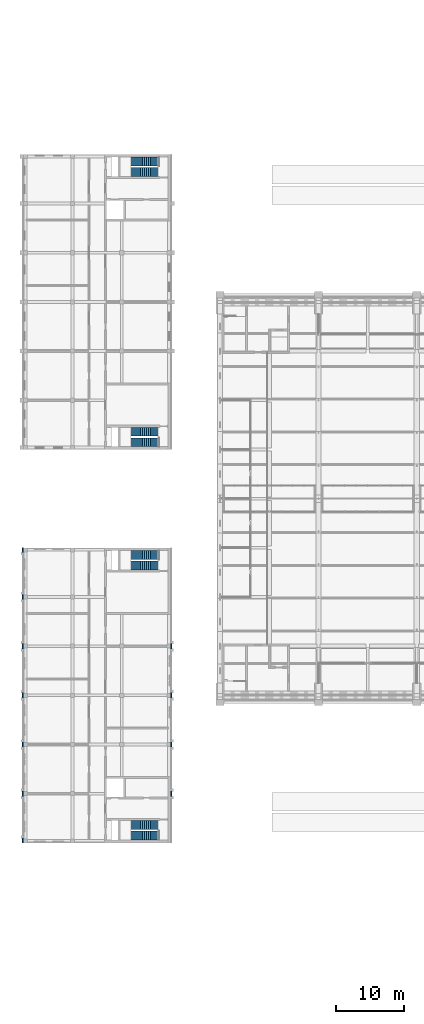
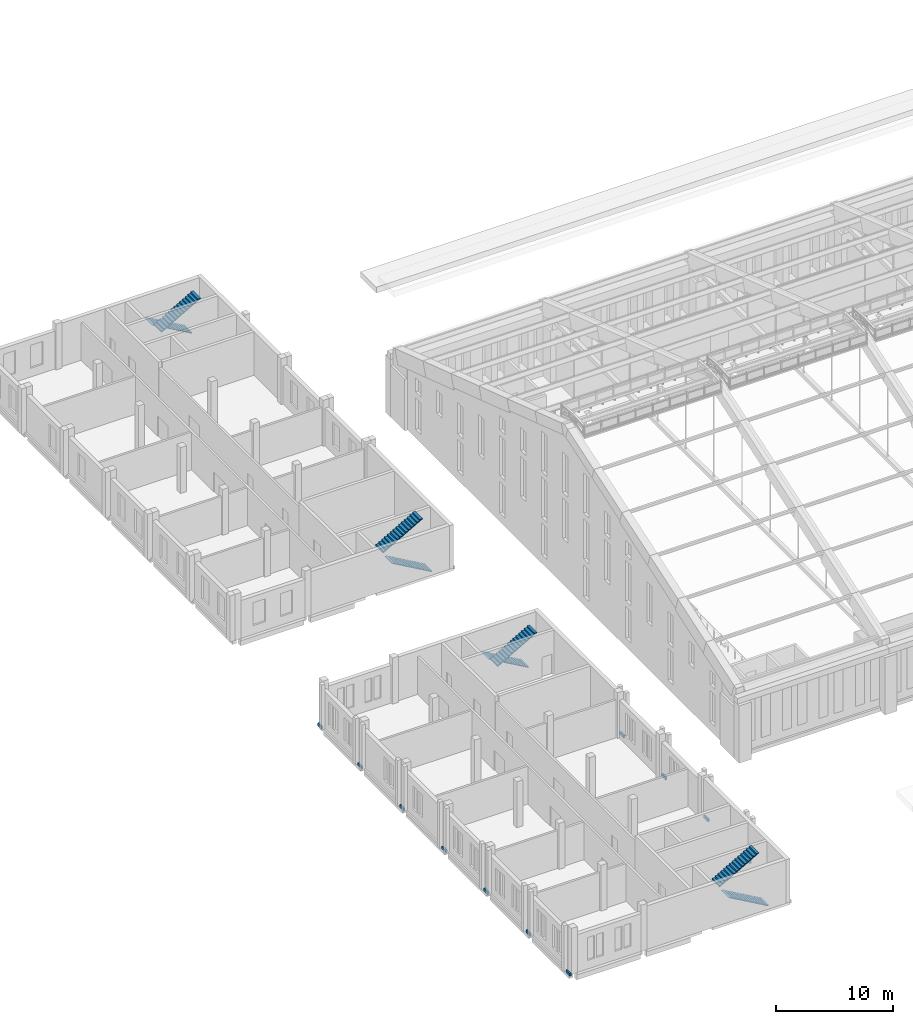
# One storey, part 143 of 149: 11 walls, 8 stair flights, 4 elements without a shape of their own.
"""IFC4 building model written with IfcOpenShell, lengths in metres."""

from ifc_helpers import new_model, si_unit, direction, frame, frame_2d, origin, place, context, subcontext, project, spatial, polyline, rectangle, outline, extrude, material, layer, layer_set, type_object, element, aggregate, save


model = new_model("IFC4")

# Units and contexts
model_context = context("Model", 3, precision=1e-05, world=origin(), true_north=direction((0.0, 1.0)))
body_context = subcontext(model_context, "Body", "Model", "MODEL_VIEW")
ifc_project = project(units=[si_unit("LENGTHUNIT", "METRE"), si_unit("AREAUNIT", "SQUARE_METRE"), si_unit("VOLUMEUNIT", "CUBIC_METRE"), si_unit("PLANEANGLEUNIT", "RADIAN"), si_unit("MASSUNIT", "GRAM", prefix="KILO")], contexts=[model_context])

# Site, building, storey
site_placement = place(None, origin())
site = spatial("IfcSite", under=ifc_project, at=site_placement, CompositionType="ELEMENT")
building_placement = place(site_placement, origin())
building = spatial("IfcBuilding", under=site, at=building_placement, Name="Alderwick Market Hall", CompositionType="ELEMENT")
storey_placement = place(building_placement, frame((0.0, 0.0, 9.60009765625)))
storey = spatial("IfcBuildingStorey", under=building, at=storey_placement, Name="L01", CompositionType="ELEMENT", Elevation=9.60009765625)

# Walls
ifc_material_1 = material(Name="Cast stone 5000 psi", Category="masonry")
ifc_layer = layer(ifc_material_1, 0.14990234375)
ifc_layer_set = layer_set([ifc_layer], Name="Cast stone 5000 psi")
wall_type = type_object("IfcWallType", Name="B Cast Stone String Course 150", PredefinedType="SOLIDWALL", material=ifc_layer_set)
wall_1_placement = place(storey_placement, frame((21.52490234375, 28.800048828125, -0.150146484375), z_axis=(0.0, 0.0, 1.0), x_axis=(0.0, 1.0, 0.0)))
element("IfcWall", 1, at=wall_1_placement, inside=storey, type_object=wall_type, Name="B.S.string.W.00", PredefinedType="SOLIDWALL", context=body_context, shape_type="SweptSolid", body=[
    extrude(rectangle(XDim=0.64990234375, YDim=0.14990234375, at=frame_2d((0.324951171875, 0.0))), origin(), (0.0, 0.0, 1.0), 0.300048828125),
])
wall_2_placement = place(storey_placement, frame((21.52490234375, 35.64990234375, -0.150146484375), z_axis=(0.0, 0.0, 1.0), x_axis=(0.0, 1.0, 0.0)))
element("IfcWall", 2, at=wall_2_placement, inside=storey, type_object=wall_type, Name="B.S.string.W.02", PredefinedType="SOLIDWALL", context=body_context, shape_type="SweptSolid", body=[
    extrude(rectangle(XDim=0.7001953125, YDim=0.14990234375, at=frame_2d((0.35009765625, 0.0))), origin(), (0.0, 0.0, 1.0), 0.300048828125),
])
for number, where, z_axis, x_axis, name in (
    (3, (21.52490234375, 42.85009765625, -0.150146484375), (0.0, 0.0, 1.0), (0.0, 1.0, 0.0), "B.S.string.W.04"),
    (4, (21.52490234375, 50.050048828125, -0.150146484375), (0.0, 0.0, 1.0), (0.0, 1.0, 0.0), "B.S.string.W.06"),
    (5, (21.52490234375, 57.25, -0.150146484375), (0.0, 0.0, 1.0), (0.0, 1.0, 0.0), "B.S.string.W.08"),
    (6, (21.52490234375, 64.449951171875, -0.150146484375), (0.0, 0.0, 1.0), (0.0, 1.0, 0.0), "B.S.string.W.10"),
):
    element("IfcWall", number, at=place(storey_placement, frame(where, z_axis=z_axis, x_axis=x_axis)), inside=storey, type_object=wall_type, Name=name, PredefinedType="SOLIDWALL", context=body_context, shape_type="SweptSolid", body=[
        extrude(rectangle(XDim=0.699951171875, YDim=0.14990234375, at=frame_2d((0.35009765625, 0.0))), origin(), (0.0, 0.0, 1.0), 0.300048828125),
    ])
wall_3_placement = place(storey_placement, frame((21.52490234375, 71.35009765625, -0.150146484375), z_axis=(0.0, 0.0, 1.0), x_axis=(0.0, 1.0, 0.0)))
element("IfcWall", 7, at=wall_3_placement, inside=storey, type_object=wall_type, Name="B.S.string.W.12", PredefinedType="SOLIDWALL", context=body_context, shape_type="SweptSolid", body=[
    extrude(rectangle(XDim=0.64990234375, YDim=0.14990234375, at=frame_2d((0.324951171875, 0.0))), origin(), (0.0, 0.0, 1.0), 0.300048828125),
])
wall_4_placement = place(storey_placement, frame((43.27490234375, 35.64990234375, -0.150146484375), z_axis=(0.0, 0.0, 1.0), x_axis=(0.0, 1.0, 0.0)))
element("IfcWall", 8, at=wall_4_placement, inside=storey, type_object=wall_type, Name="B.S.string.E.01", PredefinedType="SOLIDWALL", context=body_context, shape_type="SweptSolid", body=[
    extrude(rectangle(XDim=0.7001953125, YDim=0.14990234375, at=frame_2d((0.35009765625, 0.0))), origin(), (0.0, 0.0, 1.0), 0.300048828125),
])
for number, where, z_axis, x_axis, name in (
    (9, (43.27490234375, 42.85009765625, -0.150146484375), (0.0, 0.0, 1.0), (0.0, 1.0, 0.0), "B.S.string.E.03"),
    (10, (43.27490234375, 50.050048828125, -0.150146484375), (0.0, 0.0, 1.0), (0.0, 1.0, 0.0), "B.S.string.E.05"),
    (11, (43.27490234375, 57.25, -0.150146484375), (0.0, 0.0, 1.0), (0.0, 1.0, 0.0), "B.S.string.E.07"),
):
    element("IfcWall", number, at=place(storey_placement, frame(where, z_axis=z_axis, x_axis=x_axis)), inside=storey, type_object=wall_type, Name=name, PredefinedType="SOLIDWALL", context=body_context, shape_type="SweptSolid", body=[
        extrude(rectangle(XDim=0.699951171875, YDim=0.14990234375, at=frame_2d((0.35009765625, 0.0))), origin(), (0.0, 0.0, 1.0), 0.300048828125),
    ])

# Stair, stair flights
ifc_material_2 = material(Name="Concrete 5000 psi (f'c 35 MPa)", Category="concrete")
stair_type = type_object("IfcStairType", Name="B Exit Stair 1300", PredefinedType="TWO_STRAIGHT_RUN_STAIR", material=ifc_material_2)
stair_1_placement = place(storey_placement, origin())
stair_1 = element("IfcStair", 12, at=stair_1_placement, inside=storey, type_object=stair_type, Name="Stair N-1 L01", PredefinedType="TWO_STRAIGHT_RUN_STAIR")
stair_flight_type = type_object("IfcStairFlightType", Name="B Stair Flight 1300", PredefinedType="STRAIGHT", material=ifc_material_2)
stair_flight_1_placement = place(storey_placement, frame((41.300048828125, 128.550048828125, 0.0), z_axis=(0.0, 0.0, 1.0), x_axis=(-1.0, 0.0, 0.0)))
stair_flight_1 = element("IfcStairFlight", 13, at=stair_flight_1_placement, type_object=stair_flight_type, Name="B-ST-N-1-L01 flight 1", NumberOfRisers=15, NumberOfTreads=14, PredefinedType="STRAIGHT", RiserHeight=0.16, TreadLength=0.28, context=body_context, shape_type="SweptSolid", body=[
    extrude(outline(polyline([(0.00537109375, -0.009521484375), (0.0, 0.0), (0.0, 0.159912109375), (0.280029296875, 0.159912109375), (0.280029296875, 0.320068359375), (0.56005859375, 0.320068359375), (0.56005859375, 0.47998046875), (0.840087890625, 0.47998046875), (0.840087890625, 0.639892578125), (1.1201171875, 0.639892578125), (1.1201171875, 0.800048828125), (1.39990234375, 0.800048828125), (1.39990234375, 0.9599609375), (1.679931640625, 0.9599609375), (1.679931640625, 1.1201171875), (1.9599609375, 1.1201171875), (1.9599609375, 1.280029296875), (2.239990234375, 1.280029296875), (2.239990234375, 1.43994140625), (2.52001953125, 1.43994140625), (2.52001953125, 1.60009765625), (2.800048828125, 1.60009765625), (2.800048828125, 1.760009765625), (3.080078125, 1.760009765625), (3.080078125, 1.919921875), (3.360107421875, 1.919921875), (3.360107421875, 2.080078125), (3.639892578125, 2.080078125), (3.639892578125, 2.239990234375), (3.919921875, 2.239990234375), (3.919921875, 2.227294921875), (0.00537109375, -0.009521484375)])), frame((0.0, 0.64990234375, 0.0), z_axis=(0.0, -1.0, 0.0), x_axis=(1.0, 0.0, 0.0)), (0.0, 0.0, 1.0), 1.300048828125),
])
stair_flight_2_placement = place(storey_placement, frame((37.3798828125, 127.0, 2.39990234375), z_axis=(0.0, 0.0, 1.0), x_axis=(1.0, 0.0, 0.0)))
stair_flight_2 = element("IfcStairFlight", 14, at=stair_flight_2_placement, type_object=stair_flight_type, Name="B-ST-N-1-L01 flight 2", NumberOfRisers=15, NumberOfTreads=14, PredefinedType="STRAIGHT", RiserHeight=0.16, TreadLength=0.28, context=body_context, shape_type="SweptSolid", body=[
    extrude(outline(polyline([(0.00537109375, -0.009521484375), (0.0, 0.0), (0.0, 0.159912109375), (0.280029296875, 0.159912109375), (0.280029296875, 0.320068359375), (0.56005859375, 0.320068359375), (0.56005859375, 0.47998046875), (0.840087890625, 0.47998046875), (0.840087890625, 0.639892578125), (1.1201171875, 0.639892578125), (1.1201171875, 0.800048828125), (1.39990234375, 0.800048828125), (1.39990234375, 0.9599609375), (1.679931640625, 0.9599609375), (1.679931640625, 1.1201171875), (1.9599609375, 1.1201171875), (1.9599609375, 1.280029296875), (2.239990234375, 1.280029296875), (2.239990234375, 1.43994140625), (2.52001953125, 1.43994140625), (2.52001953125, 1.60009765625), (2.800048828125, 1.60009765625), (2.800048828125, 1.760009765625), (3.080078125, 1.760009765625), (3.080078125, 1.919921875), (3.360107421875, 1.919921875), (3.360107421875, 2.080078125), (3.639892578125, 2.080078125), (3.639892578125, 2.239990234375), (3.919921875, 2.239990234375), (3.919921875, 2.227294921875), (0.00537109375, -0.009521484375)])), frame((0.0, 0.64990234375, 0.0), z_axis=(0.0, -1.0, 0.0), x_axis=(1.0, 0.0, 0.0)), (0.0, 0.0, 1.0), 1.300048828125),
])
aggregate(stair_1, [stair_flight_1, stair_flight_2])

stair_2_placement = place(storey_placement, origin())
stair_2 = element("IfcStair", 15, at=stair_2_placement, inside=storey, type_object=stair_type, Name="Stair N-2 L01", PredefinedType="TWO_STRAIGHT_RUN_STAIR")
stair_flight_3_placement = place(storey_placement, frame((41.300048828125, 87.449951171875, 0.0), z_axis=(0.0, 0.0, 1.0), x_axis=(-1.0, 0.0, 0.0)))
stair_flight_3 = element("IfcStairFlight", 16, at=stair_flight_3_placement, type_object=stair_flight_type, Name="B-ST-N-2-L01 flight 1", NumberOfRisers=15, NumberOfTreads=14, PredefinedType="STRAIGHT", RiserHeight=0.16, TreadLength=0.28, context=body_context, shape_type="SweptSolid", body=[
    extrude(outline(polyline([(0.00537109375, -0.009521484375), (0.0, 0.0), (0.0, 0.159912109375), (0.280029296875, 0.159912109375), (0.280029296875, 0.320068359375), (0.56005859375, 0.320068359375), (0.56005859375, 0.47998046875), (0.840087890625, 0.47998046875), (0.840087890625, 0.639892578125), (1.1201171875, 0.639892578125), (1.1201171875, 0.800048828125), (1.39990234375, 0.800048828125), (1.39990234375, 0.9599609375), (1.679931640625, 0.9599609375), (1.679931640625, 1.1201171875), (1.9599609375, 1.1201171875), (1.9599609375, 1.280029296875), (2.239990234375, 1.280029296875), (2.239990234375, 1.43994140625), (2.52001953125, 1.43994140625), (2.52001953125, 1.60009765625), (2.800048828125, 1.60009765625), (2.800048828125, 1.760009765625), (3.080078125, 1.760009765625), (3.080078125, 1.919921875), (3.360107421875, 1.919921875), (3.360107421875, 2.080078125), (3.639892578125, 2.080078125), (3.639892578125, 2.239990234375), (3.919921875, 2.239990234375), (3.919921875, 2.227294921875), (0.00537109375, -0.009521484375)])), frame((0.0, 0.64990234375, 0.0), z_axis=(0.0, -1.0, 0.0), x_axis=(1.0, 0.0, 0.0)), (0.0, 0.0, 1.0), 1.300048828125),
])
stair_flight_4_placement = place(storey_placement, frame((37.3798828125, 89.0, 2.39990234375), z_axis=(0.0, 0.0, 1.0), x_axis=(1.0, 0.0, 0.0)))
stair_flight_4 = element("IfcStairFlight", 17, at=stair_flight_4_placement, type_object=stair_flight_type, Name="B-ST-N-2-L01 flight 2", NumberOfRisers=15, NumberOfTreads=14, PredefinedType="STRAIGHT", RiserHeight=0.16, TreadLength=0.28, context=body_context, shape_type="SweptSolid", body=[
    extrude(outline(polyline([(0.00537109375, -0.009521484375), (0.0, 0.0), (0.0, 0.159912109375), (0.280029296875, 0.159912109375), (0.280029296875, 0.320068359375), (0.56005859375, 0.320068359375), (0.56005859375, 0.47998046875), (0.840087890625, 0.47998046875), (0.840087890625, 0.639892578125), (1.1201171875, 0.639892578125), (1.1201171875, 0.800048828125), (1.39990234375, 0.800048828125), (1.39990234375, 0.9599609375), (1.679931640625, 0.9599609375), (1.679931640625, 1.1201171875), (1.9599609375, 1.1201171875), (1.9599609375, 1.280029296875), (2.239990234375, 1.280029296875), (2.239990234375, 1.43994140625), (2.52001953125, 1.43994140625), (2.52001953125, 1.60009765625), (2.800048828125, 1.60009765625), (2.800048828125, 1.760009765625), (3.080078125, 1.760009765625), (3.080078125, 1.919921875), (3.360107421875, 1.919921875), (3.360107421875, 2.080078125), (3.639892578125, 2.080078125), (3.639892578125, 2.239990234375), (3.919921875, 2.239990234375), (3.919921875, 2.227294921875), (0.00537109375, -0.009521484375)])), frame((0.0, 0.64990234375, 0.0), z_axis=(0.0, -1.0, 0.0), x_axis=(1.0, 0.0, 0.0)), (0.0, 0.0, 1.0), 1.300048828125),
])
aggregate(stair_2, [stair_flight_3, stair_flight_4])

stair_3_placement = place(storey_placement, origin())
stair_3 = element("IfcStair", 18, at=stair_3_placement, inside=storey, type_object=stair_type, Name="Stair S-1 L01", PredefinedType="TWO_STRAIGHT_RUN_STAIR")
stair_flight_5_placement = place(storey_placement, frame((41.300048828125, 29.85009765625, 0.0), z_axis=(0.0, 0.0, 1.0), x_axis=(-1.0, 0.0, 0.0)))
stair_flight_5 = element("IfcStairFlight", 19, at=stair_flight_5_placement, type_object=stair_flight_type, Name="B-ST-S-1-L01 flight 1", NumberOfRisers=15, NumberOfTreads=14, PredefinedType="STRAIGHT", RiserHeight=0.16, TreadLength=0.28, context=body_context, shape_type="SweptSolid", body=[
    extrude(outline(polyline([(0.00537109375, -0.009521484375), (0.0, 0.0), (0.0, 0.159912109375), (0.280029296875, 0.159912109375), (0.280029296875, 0.320068359375), (0.56005859375, 0.320068359375), (0.56005859375, 0.47998046875), (0.840087890625, 0.47998046875), (0.840087890625, 0.639892578125), (1.1201171875, 0.639892578125), (1.1201171875, 0.800048828125), (1.39990234375, 0.800048828125), (1.39990234375, 0.9599609375), (1.679931640625, 0.9599609375), (1.679931640625, 1.1201171875), (1.9599609375, 1.1201171875), (1.9599609375, 1.280029296875), (2.239990234375, 1.280029296875), (2.239990234375, 1.43994140625), (2.52001953125, 1.43994140625), (2.52001953125, 1.60009765625), (2.800048828125, 1.60009765625), (2.800048828125, 1.760009765625), (3.080078125, 1.760009765625), (3.080078125, 1.919921875), (3.360107421875, 1.919921875), (3.360107421875, 2.080078125), (3.639892578125, 2.080078125), (3.639892578125, 2.239990234375), (3.919921875, 2.239990234375), (3.919921875, 2.227294921875), (0.00537109375, -0.009521484375)])), frame((0.0, 0.64990234375, 0.0), z_axis=(0.0, -1.0, 0.0), x_axis=(1.0, 0.0, 0.0)), (0.0, 0.0, 1.0), 1.300048828125),
])
stair_flight_6_placement = place(storey_placement, frame((37.3798828125, 31.39990234375, 2.39990234375), z_axis=(0.0, 0.0, 1.0), x_axis=(1.0, 0.0, 0.0)))
stair_flight_6 = element("IfcStairFlight", 20, at=stair_flight_6_placement, type_object=stair_flight_type, Name="B-ST-S-1-L01 flight 2", NumberOfRisers=15, NumberOfTreads=14, PredefinedType="STRAIGHT", RiserHeight=0.16, TreadLength=0.28, context=body_context, shape_type="SweptSolid", body=[
    extrude(outline(polyline([(0.00537109375, -0.009521484375), (0.0, 0.0), (0.0, 0.159912109375), (0.280029296875, 0.159912109375), (0.280029296875, 0.320068359375), (0.56005859375, 0.320068359375), (0.56005859375, 0.47998046875), (0.840087890625, 0.47998046875), (0.840087890625, 0.639892578125), (1.1201171875, 0.639892578125), (1.1201171875, 0.800048828125), (1.39990234375, 0.800048828125), (1.39990234375, 0.9599609375), (1.679931640625, 0.9599609375), (1.679931640625, 1.1201171875), (1.9599609375, 1.1201171875), (1.9599609375, 1.280029296875), (2.239990234375, 1.280029296875), (2.239990234375, 1.43994140625), (2.52001953125, 1.43994140625), (2.52001953125, 1.60009765625), (2.800048828125, 1.60009765625), (2.800048828125, 1.760009765625), (3.080078125, 1.760009765625), (3.080078125, 1.919921875), (3.360107421875, 1.919921875), (3.360107421875, 2.080078125), (3.639892578125, 2.080078125), (3.639892578125, 2.239990234375), (3.919921875, 2.239990234375), (3.919921875, 2.227294921875), (0.00537109375, -0.009521484375)])), frame((0.0, 0.64990234375, 0.0), z_axis=(0.0, -1.0, 0.0), x_axis=(1.0, 0.0, 0.0)), (0.0, 0.0, 1.0), 1.300048828125),
])
aggregate(stair_3, [stair_flight_5, stair_flight_6])

stair_4_placement = place(storey_placement, origin())
stair_4 = element("IfcStair", 21, at=stair_4_placement, inside=storey, type_object=stair_type, Name="Stair S-2 L01", PredefinedType="TWO_STRAIGHT_RUN_STAIR")
stair_flight_7_placement = place(storey_placement, frame((41.300048828125, 70.949951171875, 0.0), z_axis=(0.0, 0.0, 1.0), x_axis=(-1.0, 0.0, 0.0)))
stair_flight_7 = element("IfcStairFlight", 22, at=stair_flight_7_placement, type_object=stair_flight_type, Name="B-ST-S-2-L01 flight 1", NumberOfRisers=15, NumberOfTreads=14, PredefinedType="STRAIGHT", RiserHeight=0.16, TreadLength=0.28, context=body_context, shape_type="SweptSolid", body=[
    extrude(outline(polyline([(0.00537109375, -0.009521484375), (0.0, 0.0), (0.0, 0.159912109375), (0.280029296875, 0.159912109375), (0.280029296875, 0.320068359375), (0.56005859375, 0.320068359375), (0.56005859375, 0.47998046875), (0.840087890625, 0.47998046875), (0.840087890625, 0.639892578125), (1.1201171875, 0.639892578125), (1.1201171875, 0.800048828125), (1.39990234375, 0.800048828125), (1.39990234375, 0.9599609375), (1.679931640625, 0.9599609375), (1.679931640625, 1.1201171875), (1.9599609375, 1.1201171875), (1.9599609375, 1.280029296875), (2.239990234375, 1.280029296875), (2.239990234375, 1.43994140625), (2.52001953125, 1.43994140625), (2.52001953125, 1.60009765625), (2.800048828125, 1.60009765625), (2.800048828125, 1.760009765625), (3.080078125, 1.760009765625), (3.080078125, 1.919921875), (3.360107421875, 1.919921875), (3.360107421875, 2.080078125), (3.639892578125, 2.080078125), (3.639892578125, 2.239990234375), (3.919921875, 2.239990234375), (3.919921875, 2.227294921875), (0.00537109375, -0.009521484375)])), frame((0.0, 0.64990234375, 0.0), z_axis=(0.0, -1.0, 0.0), x_axis=(1.0, 0.0, 0.0)), (0.0, 0.0, 1.0), 1.300048828125),
])
stair_flight_8_placement = place(storey_placement, frame((37.3798828125, 69.39990234375, 2.39990234375), z_axis=(0.0, 0.0, 1.0), x_axis=(1.0, 0.0, 0.0)))
stair_flight_8 = element("IfcStairFlight", 23, at=stair_flight_8_placement, type_object=stair_flight_type, Name="B-ST-S-2-L01 flight 2", NumberOfRisers=15, NumberOfTreads=14, PredefinedType="STRAIGHT", RiserHeight=0.16, TreadLength=0.28, context=body_context, shape_type="SweptSolid", body=[
    extrude(outline(polyline([(0.00537109375, -0.009521484375), (0.0, 0.0), (0.0, 0.159912109375), (0.280029296875, 0.159912109375), (0.280029296875, 0.320068359375), (0.56005859375, 0.320068359375), (0.56005859375, 0.47998046875), (0.840087890625, 0.47998046875), (0.840087890625, 0.639892578125), (1.1201171875, 0.639892578125), (1.1201171875, 0.800048828125), (1.39990234375, 0.800048828125), (1.39990234375, 0.9599609375), (1.679931640625, 0.9599609375), (1.679931640625, 1.1201171875), (1.9599609375, 1.1201171875), (1.9599609375, 1.280029296875), (2.239990234375, 1.280029296875), (2.239990234375, 1.43994140625), (2.52001953125, 1.43994140625), (2.52001953125, 1.60009765625), (2.800048828125, 1.60009765625), (2.800048828125, 1.760009765625), (3.080078125, 1.760009765625), (3.080078125, 1.919921875), (3.360107421875, 1.919921875), (3.360107421875, 2.080078125), (3.639892578125, 2.080078125), (3.639892578125, 2.239990234375), (3.919921875, 2.239990234375), (3.919921875, 2.227294921875), (0.00537109375, -0.009521484375)])), frame((0.0, 0.64990234375, 0.0), z_axis=(0.0, -1.0, 0.0), x_axis=(1.0, 0.0, 0.0)), (0.0, 0.0, 1.0), 1.300048828125),
])
aggregate(stair_4, [stair_flight_7, stair_flight_8])

save(model, "model.ifc")
